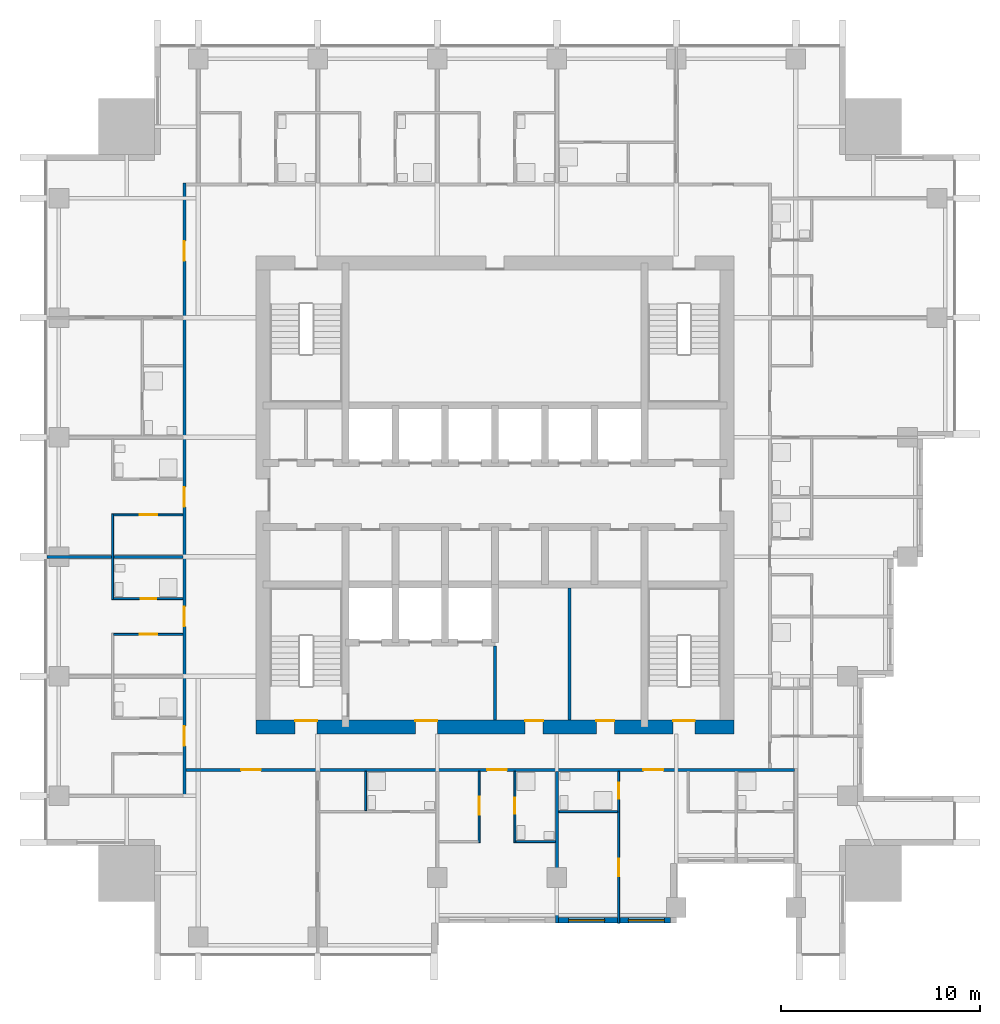
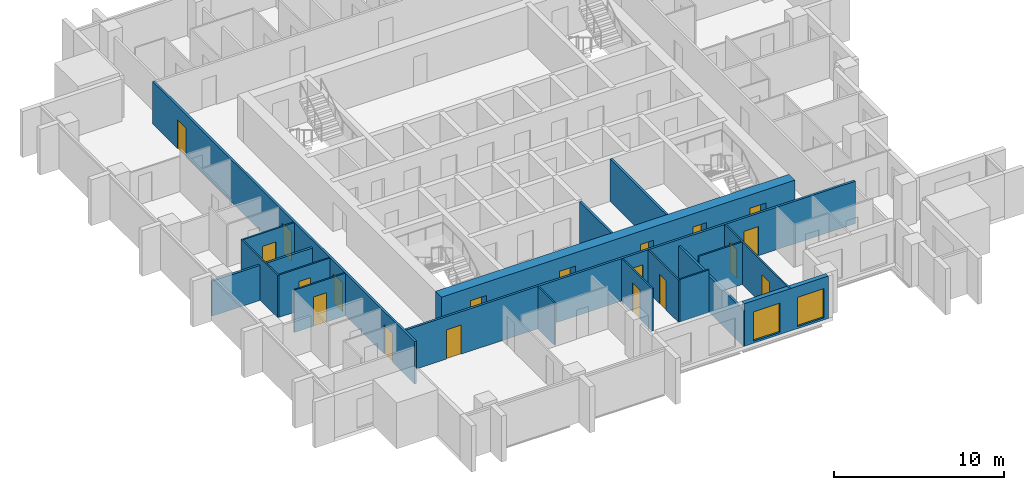
# One storey, part 4 of 10: 19 doors, 18 walls, 2 windows, 21 openings.
"""IFC4 building model written with IfcOpenShell, lengths in metres."""

from ifc_helpers import new_model, si_unit, direction, frame, frame_2d, origin, place, context, subcontext, project, spatial, rectangle, extrude, material, layer, layer_set, type_object, element, fill, save


model = new_model("IFC4")

# Units and contexts
model_context = context("Model", 3, precision=1e-05, world=origin(), true_north=direction((0.0, 1.0)))
body_context = subcontext(model_context, "Body", "Model", "MODEL_VIEW")
ifc_project = project(units=[si_unit("LENGTHUNIT", "METRE"), si_unit("AREAUNIT", "SQUARE_METRE"), si_unit("VOLUMEUNIT", "CUBIC_METRE"), si_unit("PLANEANGLEUNIT", "RADIAN"), si_unit("MASSUNIT", "GRAM", prefix="KILO")], contexts=[model_context])

# Site, building, storey
site_placement = place(None, origin())
site = spatial("IfcSite", under=ifc_project, at=site_placement, CompositionType="ELEMENT")
building_placement = place(site_placement, origin())
building = spatial("IfcBuilding", under=site, at=building_placement, Name="Amberfall Residences", CompositionType="ELEMENT")
storey_placement = place(building_placement, frame((0.0, 0.0, 158.199951171875)))
storey = spatial("IfcBuildingStorey", under=building, at=storey_placement, Name="L42", CompositionType="ELEMENT", Elevation=158.199951171875)

# Wall, openings, windows
ifc_material_1 = material(Name="Pale stone cladding on insulated backing", Category="masonry")
ifc_layer_1 = layer(ifc_material_1, 0.300048828125)
ifc_layer_set_1 = layer_set([ifc_layer_1], Name="Bronze clad wall 300")
wall_type_1 = type_object("IfcWallType", Name="Bronze clad wall 300", PredefinedType="SOLIDWALL", material=ifc_layer_set_1)
wall_1_placement = place(storey_placement, frame((77.60009765625, 24.14990234375, 0.0), z_axis=(0.0, 0.0, 1.0), x_axis=(1.0, 0.0, 0.0)))
wall_1 = element("IfcWall", 1, at=wall_1_placement, inside=storey, type_object=wall_type_1, Name="Stone wall L42 S", PredefinedType="SOLIDWALL", context=body_context, shape_type="SweptSolid", body=[
    extrude(rectangle(XDim=5.699951171875, YDim=0.300048828125, at=frame_2d((2.85009765625, 0.0))), origin(), (0.0, 0.0, 1.0), 3.050048828125),
])
opening_1_placement = place(wall_1_placement, frame((0.60009765625, 0.0, 0.14990234375)))
opening_1 = element("IfcOpeningElement", 2, at=opening_1_placement, cuts=wall_1, Name="Opening WN6", PredefinedType="OPENING", context=body_context, shape_type="SweptSolid", body=[
    extrude(rectangle(XDim=1.800048828125, YDim=2.10009765625, at=frame_2d((0.89990234375, 1.050048828125))), frame((0.0, 0.159912109375, 0.0), z_axis=(0.0, -1.0, 0.0), x_axis=(1.0, 0.0, 0.0)), (0.0, 0.0, 1.0), 0.320068359375),
])
opening_2_placement = place(wall_1_placement, frame((3.60009765625, 0.0, 0.14990234375)))
opening_2 = element("IfcOpeningElement", 3, at=opening_2_placement, cuts=wall_1, Name="Opening WN6", PredefinedType="OPENING", context=body_context, shape_type="SweptSolid", body=[
    extrude(rectangle(XDim=1.800048828125, YDim=2.10009765625, at=frame_2d((0.89990234375, 1.050048828125))), frame((0.0, 0.159912109375, 0.0), z_axis=(0.0, -1.0, 0.0), x_axis=(1.0, 0.0, 0.0)), (0.0, 0.0, 1.0), 0.320068359375),
])
ifc_material_2 = material(Name="Bronze aluminium framed glazing", Category="aluminium")
window_type = type_object("IfcWindowType", Name="Glazed opening 1800 x 2100 bronze", PartitioningType="DOUBLE_PANEL_VERTICAL", PredefinedType="WINDOW", material=ifc_material_2)
window_1_placement = place(opening_1_placement, origin())
window_1 = element("IfcWindow", 4, at=window_1_placement, inside=storey, type_object=window_type, Name="Window L42 S", OverallHeight=2.10009765625, OverallWidth=1.800048828125, PartitioningType="DOUBLE_PANEL_VERTICAL", PredefinedType="WINDOW", context=body_context, shape_type="SweptSolid", body=[
    extrude(rectangle(XDim=1.800048828125, YDim=2.10009765625, at=frame_2d((0.89990234375, 1.050048828125))), frame((0.0, 0.030029296875, 0.0), z_axis=(0.0, -1.0, 0.0), x_axis=(1.0, 0.0, 0.0)), (0.0, 0.0, 1.0), 0.06005859375),
])
fill(opening_1, window_1)
window_2_placement = place(opening_2_placement, origin())
window_2 = element("IfcWindow", 5, at=window_2_placement, inside=storey, type_object=window_type, Name="Window L42 S", OverallHeight=2.10009765625, OverallWidth=1.800048828125, PartitioningType="DOUBLE_PANEL_VERTICAL", PredefinedType="WINDOW", context=body_context, shape_type="SweptSolid", body=[
    extrude(rectangle(XDim=1.800048828125, YDim=2.10009765625, at=frame_2d((0.89990234375, 1.050048828125))), frame((0.0, 0.030029296875, 0.0), z_axis=(0.0, -1.0, 0.0), x_axis=(1.0, 0.0, 0.0)), (0.0, 0.0, 1.0), 0.06005859375),
])
fill(opening_2, window_2)

# Wall, openings, doors
ifc_material_3 = material(Name="Concrete C60", Category="concrete")
ifc_layer_2 = layer(ifc_material_3, 0.699951171875)
ifc_layer_set_2 = layer_set([ifc_layer_2], Name="Core wall 700 C60")
wall_type_2 = type_object("IfcWallType", Name="Core wall 700 C60", PredefinedType="SHEAR", material=ifc_layer_set_2)
wall_2_placement = place(storey_placement, frame((62.5, 33.85009765625, 0.0), z_axis=(0.0, 0.0, 1.0), x_axis=(1.0, 0.0, 0.0)))
wall_2 = element("IfcWall", 6, at=wall_2_placement, inside=storey, type_object=wall_type_2, Name="Core wall RW5 L42 OS", PredefinedType="SHEAR", context=body_context, shape_type="SweptSolid", body=[
    extrude(rectangle(XDim=24.0, YDim=0.699951171875, at=frame_2d((12.0, 0.0))), origin(), (0.0, 0.0, 1.0), 3.050048828125),
])
opening_3_placement = place(wall_2_placement, frame((1.96240234375, 0.0, 0.0)))
opening_3 = element("IfcOpeningElement", 7, at=opening_3_placement, cuts=wall_2, Name="Opening SD1", PredefinedType="OPENING", context=body_context, shape_type="SweptSolid", body=[
    extrude(rectangle(XDim=1.10009765625, YDim=2.10009765625, at=frame_2d((0.550048828125, 1.050048828125))), frame((0.0, 0.35986328125, 0.0), z_axis=(0.0, -1.0, 0.0), x_axis=(1.0, 0.0, 0.0)), (0.0, 0.0, 1.0), 0.719970703125),
])
opening_4_placement = place(wall_2_placement, frame((20.9375, 0.0, 0.0)))
opening_4 = element("IfcOpeningElement", 8, at=opening_4_placement, cuts=wall_2, Name="Opening SD1", PredefinedType="OPENING", context=body_context, shape_type="SweptSolid", body=[
    extrude(rectangle(XDim=1.10009765625, YDim=2.10009765625, at=frame_2d((0.550048828125, 1.050048828125))), frame((0.0, 0.35986328125, 0.0), z_axis=(0.0, -1.0, 0.0), x_axis=(1.0, 0.0, 0.0)), (0.0, 0.0, 1.0), 0.719970703125),
])
opening_5_placement = place(wall_2_placement, frame((8.0, 0.0, 0.0)))
opening_5 = element("IfcOpeningElement", 9, at=opening_5_placement, cuts=wall_2, Name="Opening FL1", PredefinedType="OPENING", context=body_context, shape_type="SweptSolid", body=[
    extrude(rectangle(XDim=1.10009765625, YDim=2.10009765625, at=frame_2d((0.550048828125, 1.050048828125))), frame((0.0, 0.35986328125, 0.0), z_axis=(0.0, -1.0, 0.0), x_axis=(1.0, 0.0, 0.0)), (0.0, 0.0, 1.0), 0.719970703125),
])
opening_6_placement = place(wall_2_placement, frame((13.512451171875, 0.0, 0.0)))
opening_6 = element("IfcOpeningElement", 10, at=opening_6_placement, cuts=wall_2, Name="Opening RD1", PredefinedType="OPENING", context=body_context, shape_type="SweptSolid", body=[
    extrude(rectangle(XDim=0.89990234375, YDim=2.10009765625, at=frame_2d((0.449951171875, 1.050048828125))), frame((0.0, 0.35986328125, 0.0), z_axis=(0.0, -1.0, 0.0), x_axis=(1.0, 0.0, 0.0)), (0.0, 0.0, 1.0), 0.719970703125),
])
opening_7_placement = place(wall_2_placement, frame((17.08740234375, 0.0, 0.0)))
opening_7 = element("IfcOpeningElement", 11, at=opening_7_placement, cuts=wall_2, Name="Opening RD1", PredefinedType="OPENING", context=body_context, shape_type="SweptSolid", body=[
    extrude(rectangle(XDim=0.89990234375, YDim=2.10009765625, at=frame_2d((0.449951171875, 1.050048828125))), frame((0.0, 0.35986328125, 0.0), z_axis=(0.0, -1.0, 0.0), x_axis=(1.0, 0.0, 0.0)), (0.0, 0.0, 1.0), 0.719970703125),
])
ifc_material_4 = material(Name="Steel fire door set", Category="steel")
door_type_1 = type_object("IfcDoorType", Name="Firefighting lobby door 1100 x 2100", OperationType="SINGLE_SWING_LEFT", PredefinedType="DOOR", material=ifc_material_4)
door_1_placement = place(opening_5_placement, origin())
door_1 = element("IfcDoor", 12, at=door_1_placement, inside=storey, type_object=door_type_1, Name="FL1 L42", OperationType="SINGLE_SWING_LEFT", OverallHeight=2.10009765625, OverallWidth=1.10009765625, PredefinedType="DOOR", context=body_context, shape_type="SweptSolid", body=[
    extrude(rectangle(XDim=1.10009765625, YDim=2.10009765625, at=frame_2d((0.550048828125, 1.050048828125))), frame((0.0, 0.33740234375, 0.0), z_axis=(0.0, -1.0, 0.0), x_axis=(1.0, 0.0, 0.0)), (0.0, 0.0, 1.0), 0.050048828125),
])
fill(opening_5, door_1)
door_type_2 = type_object("IfcDoorType", Name="Service room door 900 x 2100", OperationType="SINGLE_SWING_LEFT", PredefinedType="DOOR", material=ifc_material_4)
door_2_placement = place(opening_6_placement, origin())
door_2 = element("IfcDoor", 13, at=door_2_placement, inside=storey, type_object=door_type_2, Name="RD1 L42", OperationType="SINGLE_SWING_LEFT", OverallHeight=2.10009765625, OverallWidth=0.89990234375, PredefinedType="DOOR", context=body_context, shape_type="SweptSolid", body=[
    extrude(rectangle(XDim=0.89990234375, YDim=2.10009765625, at=frame_2d((0.449951171875, 1.050048828125))), frame((0.0, 0.33740234375, 0.0), z_axis=(0.0, -1.0, 0.0), x_axis=(1.0, 0.0, 0.0)), (0.0, 0.0, 1.0), 0.050048828125),
])
fill(opening_6, door_2)
door_3_placement = place(opening_7_placement, origin())
door_3 = element("IfcDoor", 14, at=door_3_placement, inside=storey, type_object=door_type_2, Name="RD1 L42", OperationType="SINGLE_SWING_LEFT", OverallHeight=2.10009765625, OverallWidth=0.89990234375, PredefinedType="DOOR", context=body_context, shape_type="SweptSolid", body=[
    extrude(rectangle(XDim=0.89990234375, YDim=2.10009765625, at=frame_2d((0.449951171875, 1.050048828125))), frame((0.0, 0.33740234375, 0.0), z_axis=(0.0, -1.0, 0.0), x_axis=(1.0, 0.0, 0.0)), (0.0, 0.0, 1.0), 0.050048828125),
])
fill(opening_7, door_3)
door_type_3 = type_object("IfcDoorType", Name="Stair door 1100 x 2100", OperationType="SINGLE_SWING_LEFT", PredefinedType="DOOR", material=ifc_material_4)
door_4_placement = place(opening_3_placement, origin())
door_4 = element("IfcDoor", 15, at=door_4_placement, inside=storey, type_object=door_type_3, Name="SD1 L42", OperationType="SINGLE_SWING_LEFT", OverallHeight=2.10009765625, OverallWidth=1.10009765625, PredefinedType="DOOR", context=body_context, shape_type="SweptSolid", body=[
    extrude(rectangle(XDim=1.10009765625, YDim=2.10009765625, at=frame_2d((0.550048828125, 1.050048828125))), frame((0.0, 0.33740234375, 0.0), z_axis=(0.0, -1.0, 0.0), x_axis=(1.0, 0.0, 0.0)), (0.0, 0.0, 1.0), 0.050048828125),
])
fill(opening_3, door_4)
door_5_placement = place(opening_4_placement, origin())
door_5 = element("IfcDoor", 16, at=door_5_placement, inside=storey, type_object=door_type_3, Name="SD1 L42", OperationType="SINGLE_SWING_RIGHT", OverallHeight=2.10009765625, OverallWidth=1.10009765625, PredefinedType="DOOR", context=body_context, shape_type="SweptSolid", body=[
    extrude(rectangle(XDim=1.10009765625, YDim=2.10009765625, at=frame_2d((0.550048828125, 1.050048828125))), frame((0.0, 0.33740234375, 0.0), z_axis=(0.0, -1.0, 0.0), x_axis=(1.0, 0.0, 0.0)), (0.0, 0.0, 1.0), 0.050048828125),
])
fill(opening_4, door_5)

# Walls
ifc_material_5 = material(Name="Gypsum board on metal stud")
ifc_layer_3 = layer(ifc_material_5, 0.10009765625)
ifc_layer_set_3 = layer_set([ifc_layer_3], Name="Flat partition 100")
wall_type_3 = type_object("IfcWallType", Name="Flat partition 100", PredefinedType="PARTITIONING", material=ifc_layer_set_3)
wall_3_placement = place(storey_placement, frame((55.300048828125, 40.25, 0.0), z_axis=(0.0, 0.0, 1.0), x_axis=(0.0, 1.0, 0.0)))
element("IfcWall", 17, at=wall_3_placement, inside=storey, type_object=wall_type_3, Name="Partition 003", PredefinedType="PARTITIONING", context=body_context, shape_type="SweptSolid", body=[
    extrude(rectangle(XDim=4.300048828125, YDim=0.10009765625, at=frame_2d((2.14990234375, 0.0))), origin(), (0.0, 0.0, 1.0), 3.050048828125),
])
wall_4_placement = place(storey_placement, frame((68.0, 29.64990234375, 0.0), z_axis=(0.0, 0.0, 1.0), x_axis=(0.0, 1.0, 0.0)))
element("IfcWall", 18, at=wall_4_placement, inside=storey, type_object=wall_type_3, Name="Partition 010", PredefinedType="PARTITIONING", context=body_context, shape_type="SweptSolid", body=[
    extrude(rectangle(XDim=1.97509765625, YDim=0.10009765625, at=frame_2d((0.987548828125, 0.0))), origin(), (0.0, 0.0, 1.0), 3.050048828125),
])

# Wall, opening, door
wall_5_placement = place(storey_placement, frame((73.699951171875, 28.050048828125, 0.0), z_axis=(0.0, 0.0, 1.0), x_axis=(0.0, 1.0, 0.0)))
wall_5 = element("IfcWall", 19, at=wall_5_placement, inside=storey, type_object=wall_type_3, Name="Partition 012", PredefinedType="PARTITIONING", context=body_context, shape_type="SweptSolid", body=[
    extrude(rectangle(XDim=3.574951171875, YDim=0.10009765625, at=frame_2d((1.78759765625, 0.0))), origin(), (0.0, 0.0, 1.0), 3.050048828125),
])
opening_8_placement = place(wall_5_placement, frame((1.39990234375, 0.0, 0.0)))
opening_8 = element("IfcOpeningElement", 20, at=opening_8_placement, cuts=wall_5, Name="Opening D41", PredefinedType="OPENING", context=body_context, shape_type="SweptSolid", body=[
    extrude(rectangle(XDim=0.89990234375, YDim=2.10009765625, at=frame_2d((0.449951171875, 1.050048828125))), frame((0.0, 0.06005859375, 0.0), z_axis=(0.0, -1.0, 0.0), x_axis=(1.0, 0.0, 0.0)), (0.0, 0.0, 1.0), 0.1201171875),
])
ifc_material_6 = material(Name="Timber", Category="wood")
door_type_4 = type_object("IfcDoorType", Name="Internal door 900 x 2100", OperationType="SINGLE_SWING_LEFT", PredefinedType="DOOR", material=ifc_material_6)
door_6_placement = place(opening_8_placement, origin())
door_6 = element("IfcDoor", 21, at=door_6_placement, inside=storey, type_object=door_type_4, Name="Door 4202 kitchen", OperationType="SINGLE_SWING_LEFT", OverallHeight=2.10009765625, OverallWidth=0.89990234375, PredefinedType="DOOR", context=body_context, shape_type="SweptSolid", body=[
    extrude(rectangle(XDim=0.89990234375, YDim=2.10009765625, at=frame_2d((0.449951171875, 1.050048828125))), frame((0.0, 0.02490234375, 0.0), z_axis=(0.0, -1.0, 0.0), x_axis=(1.0, 0.0, 0.0)), (0.0, 0.0, 1.0), 0.050048828125),
])
fill(opening_8, door_6)

wall_6_placement = place(storey_placement, frame((75.5, 31.625, 0.0), z_axis=(0.0, 0.0, 1.0), x_axis=(0.0, -1.0, 0.0)))
wall_6 = element("IfcWall", 22, at=wall_6_placement, inside=storey, type_object=wall_type_3, Name="Partition 014", PredefinedType="PARTITIONING", context=body_context, shape_type="SweptSolid", body=[
    extrude(rectangle(XDim=3.574951171875, YDim=0.10009765625, at=frame_2d((1.78759765625, 0.0))), origin(), (0.0, 0.0, 1.0), 3.050048828125),
])
opening_9_placement = place(wall_6_placement, frame((1.324951171875, 0.0, 0.0)))
opening_9 = element("IfcOpeningElement", 23, at=opening_9_placement, cuts=wall_6, Name="Opening D42", PredefinedType="OPENING", context=body_context, shape_type="SweptSolid", body=[
    extrude(rectangle(XDim=0.800048828125, YDim=2.10009765625, at=frame_2d((0.39990234375, 1.050048828125))), frame((0.0, 0.06005859375, 0.0), z_axis=(0.0, -1.0, 0.0), x_axis=(1.0, 0.0, 0.0)), (0.0, 0.0, 1.0), 0.1201171875),
])
door_type_5 = type_object("IfcDoorType", Name="Bathroom door 800 x 2100", OperationType="SINGLE_SWING_LEFT", PredefinedType="DOOR", material=ifc_material_6)
door_7_placement = place(opening_9_placement, origin())
door_7 = element("IfcDoor", 24, at=door_7_placement, inside=storey, type_object=door_type_5, Name="Door 4202 bath1", OperationType="SINGLE_SWING_LEFT", OverallHeight=2.10009765625, OverallWidth=0.800048828125, PredefinedType="DOOR", context=body_context, shape_type="SweptSolid", body=[
    extrude(rectangle(XDim=0.800048828125, YDim=2.10009765625, at=frame_2d((0.39990234375, 1.050048828125))), frame((0.0, 0.02490234375, 0.0), z_axis=(0.0, -1.0, 0.0), x_axis=(1.0, 0.0, 0.0)), (0.0, 0.0, 1.0), 0.050048828125),
])
fill(opening_9, door_7)

# Wall, openings, doors
wall_7_placement = place(storey_placement, frame((80.699951171875, 24.0, 0.0), z_axis=(0.0, 0.0, 1.0), x_axis=(0.0, 1.0, 0.0)))
wall_7 = element("IfcWall", 25, at=wall_7_placement, inside=storey, type_object=wall_type_3, Name="Partition 016", PredefinedType="PARTITIONING", context=body_context, shape_type="SweptSolid", body=[
    extrude(rectangle(XDim=7.625, YDim=0.10009765625, at=frame_2d((3.8125, 0.0))), origin(), (0.0, 0.0, 1.0), 3.050048828125),
])
opening_10_placement = place(wall_7_placement, frame((2.35009765625, 0.0, 0.0)))
opening_10 = element("IfcOpeningElement", 26, at=opening_10_placement, cuts=wall_7, Name="Opening D41", PredefinedType="OPENING", context=body_context, shape_type="SweptSolid", body=[
    extrude(rectangle(XDim=0.89990234375, YDim=2.10009765625, at=frame_2d((0.449951171875, 1.050048828125))), frame((0.0, 0.06005859375, 0.0), z_axis=(0.0, -1.0, 0.0), x_axis=(1.0, 0.0, 0.0)), (0.0, 0.0, 1.0), 0.1201171875),
])
opening_11_placement = place(wall_7_placement, frame((6.25, 0.0, 0.0)))
opening_11 = element("IfcOpeningElement", 27, at=opening_11_placement, cuts=wall_7, Name="Opening D42", PredefinedType="OPENING", context=body_context, shape_type="SweptSolid", body=[
    extrude(rectangle(XDim=0.800048828125, YDim=2.10009765625, at=frame_2d((0.39990234375, 1.050048828125))), frame((0.0, 0.06005859375, 0.0), z_axis=(0.0, -1.0, 0.0), x_axis=(1.0, 0.0, 0.0)), (0.0, 0.0, 1.0), 0.1201171875),
])
door_8_placement = place(opening_11_placement, origin())
door_8 = element("IfcDoor", 28, at=door_8_placement, inside=storey, type_object=door_type_5, Name="Door 4203 bath1", OperationType="SINGLE_SWING_LEFT", OverallHeight=2.10009765625, OverallWidth=0.800048828125, PredefinedType="DOOR", context=body_context, shape_type="SweptSolid", body=[
    extrude(rectangle(XDim=0.800048828125, YDim=2.10009765625, at=frame_2d((0.39990234375, 1.050048828125))), frame((0.0, 0.02490234375, 0.0), z_axis=(0.0, -1.0, 0.0), x_axis=(1.0, 0.0, 0.0)), (0.0, 0.0, 1.0), 0.050048828125),
])
fill(opening_11, door_8)
door_9_placement = place(opening_10_placement, origin())
door_9 = element("IfcDoor", 29, at=door_9_placement, inside=storey, type_object=door_type_4, Name="Door 4203 bedroom1", OperationType="SINGLE_SWING_LEFT", OverallHeight=2.10009765625, OverallWidth=0.89990234375, PredefinedType="DOOR", context=body_context, shape_type="SweptSolid", body=[
    extrude(rectangle(XDim=0.89990234375, YDim=2.10009765625, at=frame_2d((0.449951171875, 1.050048828125))), frame((0.0, 0.02490234375, 0.0), z_axis=(0.0, -1.0, 0.0), x_axis=(1.0, 0.0, 0.0)), (0.0, 0.0, 1.0), 0.050048828125),
])
fill(opening_10, door_9)

# Wall, opening, door
wall_8_placement = place(storey_placement, frame((58.824951171875, 44.5, 0.0), z_axis=(0.0, 0.0, 1.0), x_axis=(-1.0, 0.0, 0.0)))
wall_8 = element("IfcWall", 30, at=wall_8_placement, inside=storey, type_object=wall_type_3, Name="Partition 037", PredefinedType="PARTITIONING", context=body_context, shape_type="SweptSolid", body=[
    extrude(rectangle(XDim=3.474853515625, YDim=0.10009765625, at=frame_2d((1.7373046875, 0.0))), origin(), (0.0, 0.0, 1.0), 3.050048828125),
])
opening_12_placement = place(wall_8_placement, frame((1.27490234375, 0.0, 0.0)))
opening_12 = element("IfcOpeningElement", 31, at=opening_12_placement, cuts=wall_8, Name="Opening D41", PredefinedType="OPENING", context=body_context, shape_type="SweptSolid", body=[
    extrude(rectangle(XDim=0.89990234375, YDim=2.10009765625, at=frame_2d((0.449951171875, 1.050048828125))), frame((0.0, 0.06005859375, 0.0), z_axis=(0.0, -1.0, 0.0), x_axis=(1.0, 0.0, 0.0)), (0.0, 0.0, 1.0), 0.1201171875),
])
door_10_placement = place(opening_12_placement, origin())
door_10 = element("IfcDoor", 32, at=door_10_placement, inside=storey, type_object=door_type_4, Name="Door 4214 kitchen", OperationType="SINGLE_SWING_LEFT", OverallHeight=2.10009765625, OverallWidth=0.89990234375, PredefinedType="DOOR", context=body_context, shape_type="SweptSolid", body=[
    extrude(rectangle(XDim=0.89990234375, YDim=2.10009765625, at=frame_2d((0.449951171875, 1.050048828125))), frame((0.0, 0.02490234375, 0.0), z_axis=(0.0, -1.0, 0.0), x_axis=(1.0, 0.0, 0.0)), (0.0, 0.0, 1.0), 0.050048828125),
])
fill(opening_12, door_10)

wall_9_placement = place(storey_placement, frame((55.35009765625, 40.300048828125, 0.0), z_axis=(0.0, 0.0, 1.0), x_axis=(1.0, 0.0, 0.0)))
wall_9 = element("IfcWall", 33, at=wall_9_placement, inside=storey, type_object=wall_type_3, Name="Partition 040", PredefinedType="PARTITIONING", context=body_context, shape_type="SweptSolid", body=[
    extrude(rectangle(XDim=3.474853515625, YDim=0.10009765625, at=frame_2d((1.7373046875, 0.0))), origin(), (0.0, 0.0, 1.0), 3.050048828125),
])
opening_13_placement = place(wall_9_placement, frame((1.35009765625, 0.0, 0.0)))
opening_13 = element("IfcOpeningElement", 34, at=opening_13_placement, cuts=wall_9, Name="Opening D42", PredefinedType="OPENING", context=body_context, shape_type="SweptSolid", body=[
    extrude(rectangle(XDim=0.800048828125, YDim=2.10009765625, at=frame_2d((0.39990234375, 1.050048828125))), frame((0.0, 0.06005859375, 0.0), z_axis=(0.0, -1.0, 0.0), x_axis=(1.0, 0.0, 0.0)), (0.0, 0.0, 1.0), 0.1201171875),
])
door_11_placement = place(opening_13_placement, origin())
door_11 = element("IfcDoor", 35, at=door_11_placement, inside=storey, type_object=door_type_5, Name="Door 4213 bath1", OperationType="SINGLE_SWING_LEFT", OverallHeight=2.10009765625, OverallWidth=0.800048828125, PredefinedType="DOOR", context=body_context, shape_type="SweptSolid", body=[
    extrude(rectangle(XDim=0.800048828125, YDim=2.10009765625, at=frame_2d((0.39990234375, 1.050048828125))), frame((0.0, 0.02490234375, 0.0), z_axis=(0.0, -1.0, 0.0), x_axis=(1.0, 0.0, 0.0)), (0.0, 0.0, 1.0), 0.050048828125),
])
fill(opening_13, door_11)

wall_10_placement = place(storey_placement, frame((58.824951171875, 38.5, 0.0), z_axis=(0.0, 0.0, 1.0), x_axis=(-1.0, 0.0, 0.0)))
wall_10 = element("IfcWall", 36, at=wall_10_placement, inside=storey, type_object=wall_type_3, Name="Partition 041", PredefinedType="PARTITIONING", context=body_context, shape_type="SweptSolid", body=[
    extrude(rectangle(XDim=3.474853515625, YDim=0.10009765625, at=frame_2d((1.7373046875, 0.0))), origin(), (0.0, 0.0, 1.0), 3.050048828125),
])
opening_14_placement = place(wall_10_placement, frame((1.27490234375, 0.0, 0.0)))
opening_14 = element("IfcOpeningElement", 37, at=opening_14_placement, cuts=wall_10, Name="Opening D41", PredefinedType="OPENING", context=body_context, shape_type="SweptSolid", body=[
    extrude(rectangle(XDim=0.89990234375, YDim=2.10009765625, at=frame_2d((0.449951171875, 1.050048828125))), frame((0.0, 0.06005859375, 0.0), z_axis=(0.0, -1.0, 0.0), x_axis=(1.0, 0.0, 0.0)), (0.0, 0.0, 1.0), 0.1201171875),
])
door_12_placement = place(opening_14_placement, origin())
door_12 = element("IfcDoor", 38, at=door_12_placement, inside=storey, type_object=door_type_4, Name="Door 4213 kitchen", OperationType="SINGLE_SWING_LEFT", OverallHeight=2.10009765625, OverallWidth=0.89990234375, PredefinedType="DOOR", context=body_context, shape_type="SweptSolid", body=[
    extrude(rectangle(XDim=0.89990234375, YDim=2.10009765625, at=frame_2d((0.449951171875, 1.050048828125))), frame((0.0, 0.02490234375, 0.0), z_axis=(0.0, -1.0, 0.0), x_axis=(1.0, 0.0, 0.0)), (0.0, 0.0, 1.0), 0.050048828125),
])
fill(opening_14, door_12)

# Walls
wall_11_placement = place(storey_placement, frame((77.699951171875, 29.60009765625, 0.0), z_axis=(0.0, 0.0, 1.0), x_axis=(1.0, 0.0, 0.0)))
element("IfcWall", 39, at=wall_11_placement, inside=storey, type_object=wall_type_3, Name="Partition 047", PredefinedType="PARTITIONING", context=body_context, shape_type="SweptSolid", body=[
    extrude(rectangle(XDim=2.949951171875, YDim=0.10009765625, at=frame_2d((1.47509765625, 0.0))), origin(), (0.0, 0.0, 1.0), 3.050048828125),
])
wall_12_placement = place(storey_placement, frame((75.550048828125, 28.10009765625, 0.0), z_axis=(0.0, 0.0, 1.0), x_axis=(1.0, 0.0, 0.0)))
element("IfcWall", 40, at=wall_12_placement, inside=storey, type_object=wall_type_3, Name="Partition 050", PredefinedType="PARTITIONING", context=body_context, shape_type="SweptSolid", body=[
    extrude(rectangle(XDim=1.974853515625, YDim=0.10009765625, at=frame_2d((0.9873046875, 0.0))), origin(), (0.0, 0.0, 1.0), 3.050048828125),
])

# Wall, openings, doors
ifc_material_7 = material(Name="Blockwork, plastered", Category="masonry")
ifc_layer_4 = layer(ifc_material_7, 0.14990234375)
ifc_layer_set_4 = layer_set([ifc_layer_4], Name="Flat separating wall 150")
wall_type_4 = type_object("IfcWallType", Name="Flat separating wall 150", PredefinedType="PARTITIONING", material=ifc_layer_set_4)
wall_13_placement = place(storey_placement, frame((58.89990234375, 30.324951171875, 0.0), z_axis=(0.0, 0.0, 1.0), x_axis=(0.0, 1.0, 0.0)))
wall_13 = element("IfcWall", 41, at=wall_13_placement, inside=storey, type_object=wall_type_4, Name="Separating wall 051", PredefinedType="PARTITIONING", context=body_context, shape_type="SweptSolid", body=[
    extrude(rectangle(XDim=30.85009765625, YDim=0.14990234375, at=frame_2d((15.425048828125, 0.0))), origin(), (0.0, 0.0, 1.0), 3.050048828125),
])
opening_15_placement = place(wall_13_placement, frame((2.574951171875, 0.0, 0.0)))
opening_15 = element("IfcOpeningElement", 42, at=opening_15_placement, cuts=wall_13, Name="Opening D40", PredefinedType="OPENING", context=body_context, shape_type="SweptSolid", body=[
    extrude(rectangle(XDim=1.0, YDim=2.10009765625, at=frame_2d((0.5, 1.050048828125))), frame((0.0, 0.0849609375, 0.0), z_axis=(0.0, -1.0, 0.0), x_axis=(1.0, 0.0, 0.0)), (0.0, 0.0, 1.0), 0.169921875),
])
opening_16_placement = place(wall_13_placement, frame((8.574951171875, 0.0, 0.0)))
opening_16 = element("IfcOpeningElement", 43, at=opening_16_placement, cuts=wall_13, Name="Opening D40", PredefinedType="OPENING", context=body_context, shape_type="SweptSolid", body=[
    extrude(rectangle(XDim=1.0, YDim=2.10009765625, at=frame_2d((0.5, 1.050048828125))), frame((0.0, 0.0849609375, 0.0), z_axis=(0.0, -1.0, 0.0), x_axis=(1.0, 0.0, 0.0)), (0.0, 0.0, 1.0), 0.169921875),
])
opening_17_placement = place(wall_13_placement, frame((14.574951171875, 0.0, 0.0)))
opening_17 = element("IfcOpeningElement", 44, at=opening_17_placement, cuts=wall_13, Name="Opening D40", PredefinedType="OPENING", context=body_context, shape_type="SweptSolid", body=[
    extrude(rectangle(XDim=1.0, YDim=2.10009765625, at=frame_2d((0.5, 1.050048828125))), frame((0.0, 0.0849609375, 0.0), z_axis=(0.0, -1.0, 0.0), x_axis=(1.0, 0.0, 0.0)), (0.0, 0.0, 1.0), 0.169921875),
])
opening_18_placement = place(wall_13_placement, frame((26.925048828125, 0.0, 0.0)))
opening_18 = element("IfcOpeningElement", 45, at=opening_18_placement, cuts=wall_13, Name="Opening D40", PredefinedType="OPENING", context=body_context, shape_type="SweptSolid", body=[
    extrude(rectangle(XDim=1.0, YDim=2.10009765625, at=frame_2d((0.5, 1.050048828125))), frame((0.0, 0.0849609375, 0.0), z_axis=(0.0, -1.0, 0.0), x_axis=(1.0, 0.0, 0.0)), (0.0, 0.0, 1.0), 0.169921875),
])
ifc_material_8 = material(Name="Timber, fire-rated", Category="wood")
door_type_6 = type_object("IfcDoorType", Name="Flat entrance door FD60 1000 x 2100", OperationType="SINGLE_SWING_LEFT", PredefinedType="DOOR", material=ifc_material_8)
door_13_placement = place(opening_15_placement, origin())
door_13 = element("IfcDoor", 46, at=door_13_placement, inside=storey, type_object=door_type_6, Name="Door 4212 entrance", OperationType="SINGLE_SWING_LEFT", OverallHeight=2.10009765625, OverallWidth=1.0, PredefinedType="DOOR", context=body_context, shape_type="SweptSolid", body=[
    extrude(rectangle(XDim=1.0, YDim=2.10009765625, at=frame_2d((0.5, 1.050048828125))), frame((0.0, 0.02490234375, 0.0), z_axis=(0.0, -1.0, 0.0), x_axis=(1.0, 0.0, 0.0)), (0.0, 0.0, 1.0), 0.050048828125),
])
fill(opening_15, door_13)
door_14_placement = place(opening_16_placement, origin())
door_14 = element("IfcDoor", 47, at=door_14_placement, inside=storey, type_object=door_type_6, Name="Door 4213 entrance", OperationType="SINGLE_SWING_LEFT", OverallHeight=2.10009765625, OverallWidth=1.0, PredefinedType="DOOR", context=body_context, shape_type="SweptSolid", body=[
    extrude(rectangle(XDim=1.0, YDim=2.10009765625, at=frame_2d((0.5, 1.050048828125))), frame((0.0, 0.02490234375, 0.0), z_axis=(0.0, -1.0, 0.0), x_axis=(1.0, 0.0, 0.0)), (0.0, 0.0, 1.0), 0.050048828125),
])
fill(opening_16, door_14)
door_15_placement = place(opening_17_placement, origin())
door_15 = element("IfcDoor", 48, at=door_15_placement, inside=storey, type_object=door_type_6, Name="Door 4214 entrance", OperationType="SINGLE_SWING_LEFT", OverallHeight=2.10009765625, OverallWidth=1.0, PredefinedType="DOOR", context=body_context, shape_type="SweptSolid", body=[
    extrude(rectangle(XDim=1.0, YDim=2.10009765625, at=frame_2d((0.5, 1.050048828125))), frame((0.0, 0.02490234375, 0.0), z_axis=(0.0, -1.0, 0.0), x_axis=(1.0, 0.0, 0.0)), (0.0, 0.0, 1.0), 0.050048828125),
])
fill(opening_17, door_15)
door_16_placement = place(opening_18_placement, origin())
door_16 = element("IfcDoor", 49, at=door_16_placement, inside=storey, type_object=door_type_6, Name="Door 4215 entrance", OperationType="SINGLE_SWING_LEFT", OverallHeight=2.10009765625, OverallWidth=1.0, PredefinedType="DOOR", context=body_context, shape_type="SweptSolid", body=[
    extrude(rectangle(XDim=1.0, YDim=2.10009765625, at=frame_2d((0.5, 1.050048828125))), frame((0.0, 0.02490234375, 0.0), z_axis=(0.0, -1.0, 0.0), x_axis=(1.0, 0.0, 0.0)), (0.0, 0.0, 1.0), 0.050048828125),
])
fill(opening_18, door_16)

# Walls
wall_14_placement = place(storey_placement, frame((77.60009765625, 24.0, 0.0), z_axis=(0.0, 0.0, 1.0), x_axis=(0.0, 1.0, 0.0)))
element("IfcWall", 50, at=wall_14_placement, inside=storey, type_object=wall_type_4, Name="Separating wall 056", PredefinedType="PARTITIONING", context=body_context, shape_type="SweptSolid", body=[
    extrude(rectangle(XDim=7.625, YDim=0.14990234375, at=frame_2d((3.8125, 0.0))), origin(), (0.0, 0.0, 1.0), 2.590087890625),
])
wall_15_placement = place(storey_placement, frame((52.0, 42.39990234375, 0.0), z_axis=(0.0, 0.0, 1.0), x_axis=(1.0, 0.0, 0.0)))
element("IfcWall", 51, at=wall_15_placement, inside=storey, type_object=wall_type_4, Name="Separating wall 065", PredefinedType="PARTITIONING", context=body_context, shape_type="SweptSolid", body=[
    extrude(rectangle(XDim=6.824951171875, YDim=0.14990234375, at=frame_2d((3.41259765625, 0.0))), origin(), (0.0, 0.0, 1.0), 2.51611328125),
])

# Wall, openings, doors
wall_16_placement = place(storey_placement, frame((89.52490234375, 31.699951171875, 0.0), z_axis=(0.0, 0.0, 1.0), x_axis=(-1.0, 0.0, 0.0)))
wall_16 = element("IfcWall", 52, at=wall_16_placement, inside=storey, type_object=wall_type_4, Name="Separating wall 068", PredefinedType="PARTITIONING", context=body_context, shape_type="SweptSolid", body=[
    extrude(rectangle(XDim=30.5498046875, YDim=0.14990234375, at=frame_2d((15.27490234375, 0.0))), origin(), (0.0, 0.0, 1.0), 3.050048828125),
])
opening_19_placement = place(wall_16_placement, frame((26.77490234375, 0.0, 0.0)))
opening_19 = element("IfcOpeningElement", 53, at=opening_19_placement, cuts=wall_16, Name="Opening D40", PredefinedType="OPENING", context=body_context, shape_type="SweptSolid", body=[
    extrude(rectangle(XDim=1.0, YDim=2.10009765625, at=frame_2d((0.5, 1.050048828125))), frame((0.0, 0.0849609375, 0.0), z_axis=(0.0, -1.0, 0.0), x_axis=(1.0, 0.0, 0.0)), (0.0, 0.0, 1.0), 0.169921875),
])
opening_20_placement = place(wall_16_placement, frame((14.425048828125, 0.0, 0.0)))
opening_20 = element("IfcOpeningElement", 54, at=opening_20_placement, cuts=wall_16, Name="Opening D40", PredefinedType="OPENING", context=body_context, shape_type="SweptSolid", body=[
    extrude(rectangle(XDim=1.0, YDim=2.10009765625, at=frame_2d((0.5, 1.050048828125))), frame((0.0, 0.0849609375, 0.0), z_axis=(0.0, -1.0, 0.0), x_axis=(1.0, 0.0, 0.0)), (0.0, 0.0, 1.0), 0.169921875),
])
opening_21_placement = place(wall_16_placement, frame((6.574951171875, 0.0, 0.0)))
opening_21 = element("IfcOpeningElement", 55, at=opening_21_placement, cuts=wall_16, Name="Opening D40", PredefinedType="OPENING", context=body_context, shape_type="SweptSolid", body=[
    extrude(rectangle(XDim=1.0, YDim=2.10009765625, at=frame_2d((0.5, 1.050048828125))), frame((0.0, 0.0849609375, 0.0), z_axis=(0.0, -1.0, 0.0), x_axis=(1.0, 0.0, 0.0)), (0.0, 0.0, 1.0), 0.169921875),
])
door_17_placement = place(opening_19_placement, origin())
door_17 = element("IfcDoor", 56, at=door_17_placement, inside=storey, type_object=door_type_6, Name="Door 4201 entrance", OperationType="SINGLE_SWING_LEFT", OverallHeight=2.10009765625, OverallWidth=1.0, PredefinedType="DOOR", context=body_context, shape_type="SweptSolid", body=[
    extrude(rectangle(XDim=1.0, YDim=2.10009765625, at=frame_2d((0.5, 1.050048828125))), frame((0.0, 0.02490234375, 0.0), z_axis=(0.0, -1.0, 0.0), x_axis=(1.0, 0.0, 0.0)), (0.0, 0.0, 1.0), 0.050048828125),
])
fill(opening_19, door_17)
door_18_placement = place(opening_20_placement, origin())
door_18 = element("IfcDoor", 57, at=door_18_placement, inside=storey, type_object=door_type_6, Name="Door 4202 entrance", OperationType="SINGLE_SWING_LEFT", OverallHeight=2.10009765625, OverallWidth=1.0, PredefinedType="DOOR", context=body_context, shape_type="SweptSolid", body=[
    extrude(rectangle(XDim=1.0, YDim=2.10009765625, at=frame_2d((0.5, 1.050048828125))), frame((0.0, 0.02490234375, 0.0), z_axis=(0.0, -1.0, 0.0), x_axis=(1.0, 0.0, 0.0)), (0.0, 0.0, 1.0), 0.050048828125),
])
fill(opening_20, door_18)
door_19_placement = place(opening_21_placement, origin())
door_19 = element("IfcDoor", 58, at=door_19_placement, inside=storey, type_object=door_type_6, Name="Door 4203 entrance", OperationType="SINGLE_SWING_LEFT", OverallHeight=2.10009765625, OverallWidth=1.0, PredefinedType="DOOR", context=body_context, shape_type="SweptSolid", body=[
    extrude(rectangle(XDim=1.0, YDim=2.10009765625, at=frame_2d((0.5, 1.050048828125))), frame((0.0, 0.02490234375, 0.0), z_axis=(0.0, -1.0, 0.0), x_axis=(1.0, 0.0, 0.0)), (0.0, 0.0, 1.0), 0.050048828125),
])
fill(opening_21, door_19)

# Walls
ifc_material_9 = material(Name="Concrete blockwork", Category="masonry")
ifc_layer_5 = layer(ifc_material_9, 0.14990234375)
ifc_layer_set_5 = layer_set([ifc_layer_5], Name="Riser wall 150")
wall_type_5 = type_object("IfcWallType", Name="Riser wall 150", PredefinedType="PLUMBINGWALL", material=ifc_layer_set_5)
wall_17_placement = place(storey_placement, frame((74.5, 34.199951171875, 0.0), z_axis=(0.0, 0.0, 1.0), x_axis=(0.0, 1.0, 0.0)))
element("IfcWall", 59, at=wall_17_placement, inside=storey, type_object=wall_type_5, Name="L42 core wall PX", PredefinedType="PLUMBINGWALL", context=body_context, shape_type="SweptSolid", body=[
    extrude(rectangle(XDim=3.72509765625, YDim=0.14990234375, at=frame_2d((1.862548828125, 0.0))), origin(), (0.0, 0.0, 1.0), 3.050048828125),
])
wall_18_placement = place(storey_placement, frame((78.25, 34.199951171875, 0.0), z_axis=(0.0, 0.0, 1.0), x_axis=(0.0, 1.0, 0.0)))
element("IfcWall", 60, at=wall_18_placement, inside=storey, type_object=wall_type_5, Name="L42 core wall E0", PredefinedType="PLUMBINGWALL", context=body_context, shape_type="SweptSolid", body=[
    extrude(rectangle(XDim=6.625, YDim=0.14990234375, at=frame_2d((3.3125, 0.0))), origin(), (0.0, 0.0, 1.0), 3.050048828125),
])

save(model, "model.ifc")
